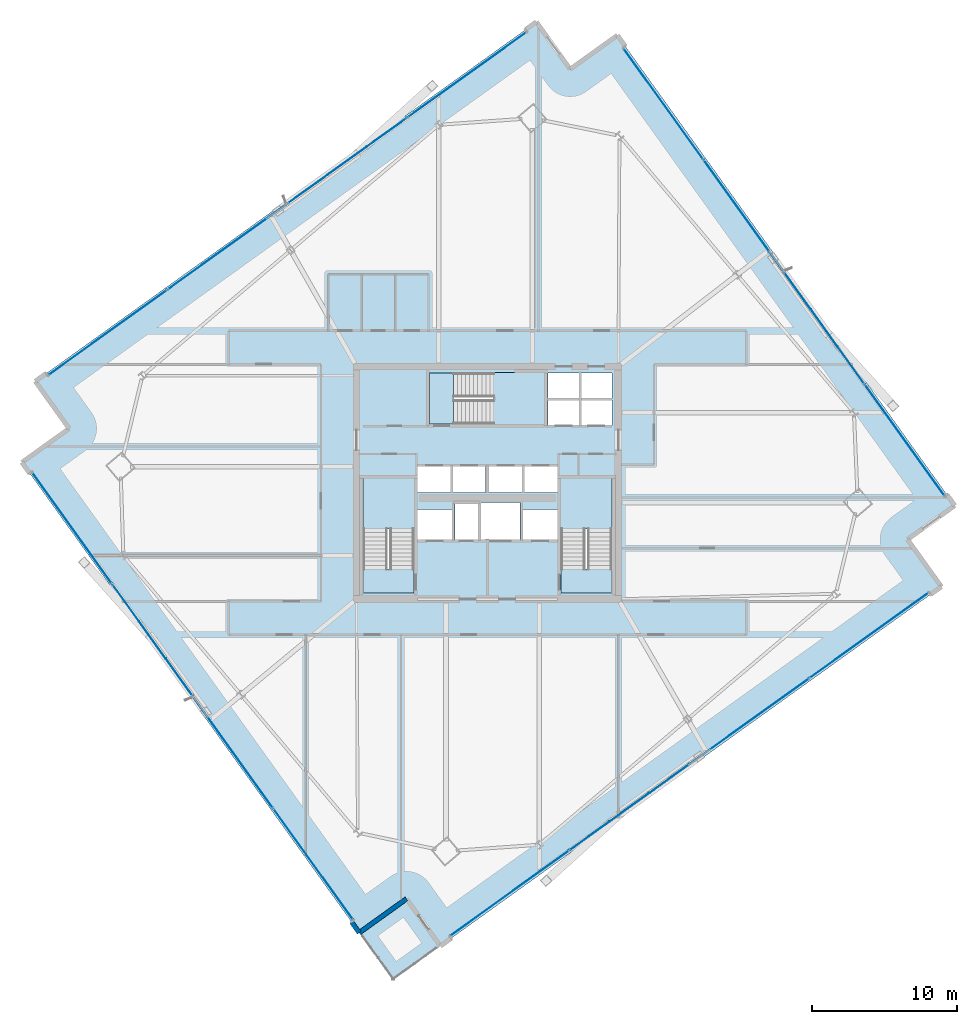
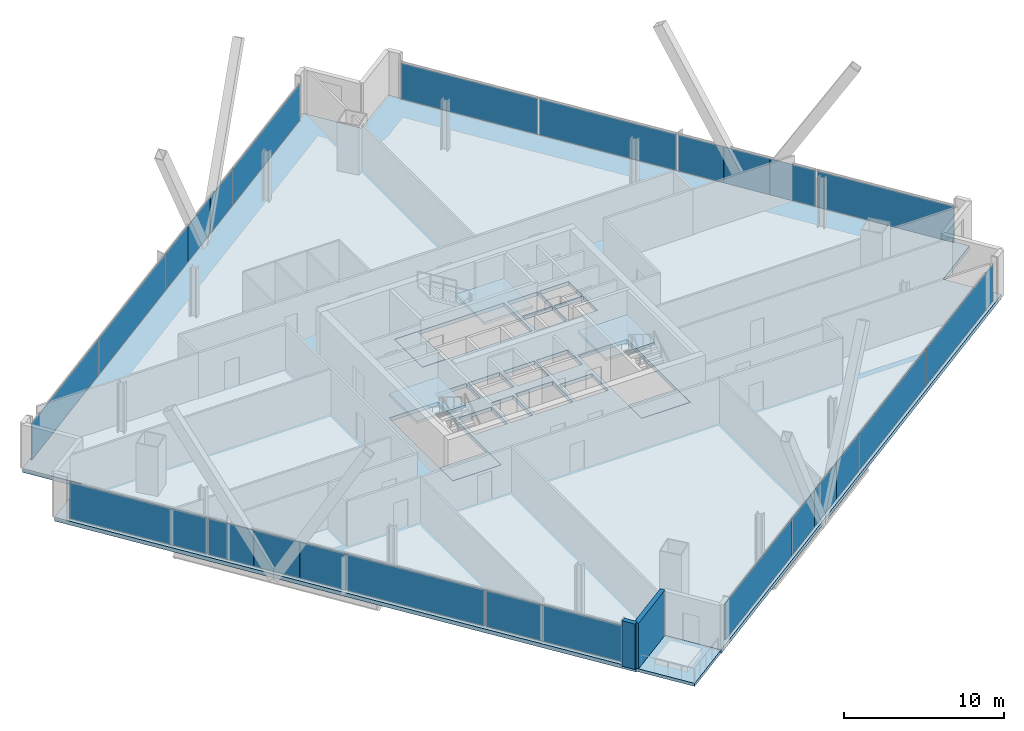
# One storey, part 24 of 33: 24 plates, 8 slabs, 2 walls, 7 elements without a shape of their own.
"""IFC4 building model written with IfcOpenShell, lengths in metres."""

import ifcopenshell
import ifcopenshell.guid

model = None  # the IFC model being written
_history = None  # IfcOwnerHistory: only IFC2X3 demands one
_inside = {}  # id of a spatial element -> (the spatial element, [elements in it])
_under = {}  # id of a project, library or spatial element -> (it, [spatial elements below it])
_declared = {}  # id of a project -> (the project, [libraries it declares])
_typed = {}  # id of a type object -> (the type object, [elements of that type])
_made_of = {}  # id of a material, layer set ... -> (it, [elements and type objects made of it])


def new_model(schema):
    """Start an empty IFC model of exactly this schema.

    Asked for "IFC4X3", IfcOpenShell would pick the latest addendum, in which some entities
    have other attributes; the version numbers below select the first issue.
    IFC2X3 requires an IfcOwnerHistory on every rooted entity: one is made here for all.
    """
    global model, _history
    if schema == "IFC4X3":
        model = ifcopenshell.file(schema_version=(4, 3, 0, 0))
    else:
        model = ifcopenshell.file(schema=schema)
    _inside.clear()
    _under.clear()
    _declared.clear()
    _typed.clear()
    _made_of.clear()
    _history = None
    if model.schema == "IFC2X3":
        org = make("IfcOrganization", Name="unknown")
        user = make(
            "IfcPersonAndOrganization",
            ThePerson=make("IfcPerson", FamilyName="unknown"),
            TheOrganization=org,
        )
        app = make(
            "IfcApplication",
            ApplicationDeveloper=org,
            Version="unknown",
            ApplicationFullName="unknown",
            ApplicationIdentifier="unknown",
        )
        _history = make(
            "IfcOwnerHistory",
            OwningUser=user,
            OwningApplication=app,
            ChangeAction="ADDED",
            CreationDate=0,
        )
    return model


def make(cls, **values):
    """One entity of the class cls with the attributes given. An attribute that is None is left unset."""
    return model.create_entity(
        cls, **{name: value for name, value in values.items() if value is not None}
    )


def rooted(cls, **values):
    """An entity with a GlobalId (a new one), such as an element, a storey or a relation."""
    return make(cls, GlobalId=ifcopenshell.guid.new(), OwnerHistory=_history, **values)


def si_unit(unit_type, name, prefix=None):
    """IfcSIUnit, for example si_unit("LENGTHUNIT", "METRE", prefix="MILLI")."""
    return make("IfcSIUnit", UnitType=unit_type, Prefix=prefix, Name=name)


def assignment(units):
    """IfcUnitAssignment: the units of a project."""
    return None if units is None else make("IfcUnitAssignment", Units=units)


def point(xyz):
    """IfcCartesianPoint."""
    return None if xyz is None else make("IfcCartesianPoint", Coordinates=xyz)


def direction(xyz):
    """IfcDirection."""
    return None if xyz is None else make("IfcDirection", DirectionRatios=xyz)


def frame(location, z_axis=None, x_axis=None):
    """IfcAxis2Placement3D, a coordinate frame: its origin and axes. An axis left out is left unset."""
    return make(
        "IfcAxis2Placement3D",
        Location=point(location),
        Axis=direction(z_axis),
        RefDirection=direction(x_axis),
    )


def frame_2d(location, x_axis=None):
    """IfcAxis2Placement2D, a coordinate frame in the plane: its origin and x axis."""
    return make(
        "IfcAxis2Placement2D", Location=point(location), RefDirection=direction(x_axis)
    )


def origin():
    """The frame at (0, 0, 0) with its axes left unset."""
    return frame((0.0, 0.0, 0.0))


def origin_2d():
    """The frame at (0, 0) in the plane with its x axis left unset."""
    return frame_2d((0.0, 0.0))


def place(relative_to, where):
    """IfcLocalPlacement: puts the frame where relative to a parent placement (None: the world)."""
    return make(
        "IfcLocalPlacement", PlacementRelTo=relative_to, RelativePlacement=where
    )


def context(
    kind, dimensions, precision=None, world=None, true_north=None, identifier=None
):
    """IfcGeometricRepresentationContext, for example the 3D "Model" context."""
    return make(
        "IfcGeometricRepresentationContext",
        ContextIdentifier=identifier,
        ContextType=kind,
        CoordinateSpaceDimension=dimensions,
        Precision=precision,
        WorldCoordinateSystem=world,
        TrueNorth=true_north,
    )


def subcontext(parent, identifier, kind, view, scale=None):
    """IfcGeometricRepresentationSubContext, for example "Body" below "Model"."""
    return make(
        "IfcGeometricRepresentationSubContext",
        ContextIdentifier=identifier,
        ContextType=kind,
        ParentContext=parent,
        TargetScale=scale,
        TargetView=view,
    )


def project(units=None, contexts=None):
    """IfcProject with its units and contexts."""
    return rooted(
        "IfcProject",
        Name="project",
        RepresentationContexts=contexts,
        UnitsInContext=assignment(units),
    )


def spatial(cls, under=None, at=None, **own):
    """A site, building, storey or space (cls), placed at a placement, below another one or the project."""
    s = rooted(cls, ObjectPlacement=at, **own)
    if under is not None:
        _under.setdefault(under.id(), (under, []))[1].append(s)
    return s


def polyline(points):
    """IfcPolyline through the points."""
    return make("IfcPolyline", Points=[point(p) for p in points])


def profile(cls, at=None, kind="AREA", **sizes):
    """A parametric profile (cls). Its sizes go by their IFC names, for example OverallWidth=200.0."""
    return make(cls, ProfileType=kind, Position=at, **sizes)


def rectangle(**sizes):
    """IfcRectangleProfileDef."""
    return profile("IfcRectangleProfileDef", **sizes)


def outline(outer, holes=None, kind="AREA"):
    """IfcArbitraryClosedProfileDef: a profile drawn as a closed curve; with holes, ...WithVoids."""
    if holes is None:
        return make("IfcArbitraryClosedProfileDef", ProfileType=kind, OuterCurve=outer)
    return make(
        "IfcArbitraryProfileDefWithVoids",
        ProfileType=kind,
        OuterCurve=outer,
        InnerCurves=holes,
    )


def extrude(swept, where, along, depth):
    """IfcExtrudedAreaSolid: the profile swept, set in the frame where, extruded along a direction by depth."""
    return make(
        "IfcExtrudedAreaSolid",
        SweptArea=swept,
        Position=where,
        ExtrudedDirection=direction(along),
        Depth=depth,
    )


def shape(context_of_items, identifier, shape_type, items):
    """IfcShapeRepresentation: the items that make up one representation, for example the "Body"."""
    return make(
        "IfcShapeRepresentation",
        ContextOfItems=context_of_items,
        RepresentationIdentifier=identifier,
        RepresentationType=shape_type,
        Items=items,
    )


def source(mapping_origin, context_of_items, identifier, shape_type, items):
    """IfcRepresentationMap: a shape defined once, which mapped items show again and again."""
    return make(
        "IfcRepresentationMap",
        MappingOrigin=mapping_origin,
        MappedRepresentation=shape(context_of_items, identifier, shape_type, items),
    )


def transform(
    local_origin,
    x_axis=None,
    y_axis=None,
    z_axis=None,
    scale=None,
    scale2=None,
    scale3=None,
    uniform=True,
):
    """IfcCartesianTransformationOperator3D, or its non-uniform kind. x_axis, y_axis, z_axis: its Axis1, 2, 3."""
    if uniform:
        return make(
            "IfcCartesianTransformationOperator3D",
            Axis1=direction(x_axis),
            Axis2=direction(y_axis),
            LocalOrigin=point(local_origin),
            Scale=scale,
            Axis3=direction(z_axis),
        )
    return make(
        "IfcCartesianTransformationOperator3DnonUniform",
        Axis1=direction(x_axis),
        Axis2=direction(y_axis),
        LocalOrigin=point(local_origin),
        Scale=scale,
        Axis3=direction(z_axis),
        Scale2=scale2,
        Scale3=scale3,
    )


def mapped(mapping_source, mapping_target):
    """IfcMappedItem: shows the shape of a source again, moved by a transform."""
    return make(
        "IfcMappedItem", MappingSource=mapping_source, MappingTarget=mapping_target
    )


def material(Name=None, Category=None):
    """IfcMaterial."""
    return make("IfcMaterial", Name=Name, Category=Category)


def layer(
    of_material, thickness, ventilated=None, Name=None, Category=None, Priority=None
):
    """IfcMaterialLayer: one layer of a wall or slab, of a material (None: an air gap)."""
    return make(
        "IfcMaterialLayer",
        Material=of_material,
        LayerThickness=thickness,
        IsVentilated=ventilated,
        Name=Name,
        Category=Category,
        Priority=Priority,
    )


def layer_set(layers, Name=None):
    """IfcMaterialLayerSet."""
    return make("IfcMaterialLayerSet", MaterialLayers=layers, LayerSetName=Name)


def made_of(thing, what):
    """Note that an element or type object is made of a material, layer set ...; save() writes the relation."""
    if what is not None:
        _made_of.setdefault(what.id(), (what, []))[1].append(thing)
    return thing


def type_object(cls, material=None, **own):
    """A type object (cls), such as IfcWallType, which elements share."""
    return made_of(rooted(cls, **own), material)


def element(
    cls,
    number,
    at=None,
    inside=None,
    cuts=None,
    type_object=None,
    material=None,
    context=None,
    identifier="Body",
    shape_type=None,
    held_by="IfcProductDefinitionShape",
    body=None,
    shapes=None,
    **own,
):
    """One element of the class cls, such as IfcWall. Its Tag is "e" and its number.

    at: its placement. inside: the storey or other place that contains it. cuts: it is an
    opening in that element (IfcRelVoidsElement). A single representation is given by context,
    identifier, shape_type and body (its items); several are given by shapes. held_by: the class
    of the entity that holds the representations. save() writes the other relations.
    """
    e = rooted(cls, Tag="e%d" % number, ObjectPlacement=at, **own)
    if body is not None:
        shapes = [shape(context, identifier, shape_type, body)]
    if shapes is not None:
        e.Representation = make(held_by, Representations=shapes)
    if inside is not None:
        _inside.setdefault(inside.id(), (inside, []))[1].append(e)
    if cuts is not None:
        rooted(
            "IfcRelVoidsElement", RelatingBuildingElement=cuts, RelatedOpeningElement=e
        )
    if type_object is not None:
        _typed.setdefault(type_object.id(), (type_object, []))[1].append(e)
    return made_of(e, material)


def aggregate(whole, parts):
    """IfcRelAggregates: a whole, such as a stair, and the parts it consists of."""
    return rooted("IfcRelAggregates", RelatingObject=whole, RelatedObjects=parts)


def save(model, path):
    """Write the relations noted so far, then the file.

    IfcRelAggregates (storeys below a building ...), IfcRelContainedInSpatialStructure (elements
    in a storey), IfcRelDefinesByType, IfcRelAssociatesMaterial and IfcRelDeclares: one each for
    every whole, place, type object, material and project.
    """
    for whole, parts in _under.values():
        aggregate(whole, parts)
    for where, things in _inside.values():
        rooted(
            "IfcRelContainedInSpatialStructure",
            RelatedElements=things,
            RelatingStructure=where,
        )
    for kind, things in _typed.values():
        rooted("IfcRelDefinesByType", RelatedObjects=things, RelatingType=kind)
    for what, things in _made_of.values():
        rooted("IfcRelAssociatesMaterial", RelatedObjects=things, RelatingMaterial=what)
    for by, libraries in _declared.values():
        rooted("IfcRelDeclares", RelatingContext=by, RelatedDefinitions=libraries)
    model.write(path)


model = new_model("IFC4")

# Units and contexts
model_context = context("Model", 3, precision=1e-05, world=origin(), true_north=direction((0.0, 1.0)))
body_context = subcontext(model_context, "Body", "Model", "MODEL_VIEW")
ifc_project = project(units=[si_unit("LENGTHUNIT", "METRE"), si_unit("AREAUNIT", "SQUARE_METRE"), si_unit("VOLUMEUNIT", "CUBIC_METRE"), si_unit("PLANEANGLEUNIT", "RADIAN"), si_unit("MASSUNIT", "GRAM", prefix="KILO")], contexts=[model_context])

# Site, building, storey
site_placement = place(None, origin())
site = spatial("IfcSite", under=ifc_project, at=site_placement, CompositionType="ELEMENT")
building_placement = place(site_placement, origin())
building = spatial("IfcBuilding", under=site, at=building_placement, Name="Haldenkirk Collegiate Tower", CompositionType="ELEMENT")
storey_placement = place(building_placement, frame((0.0, 0.0, 148.199951171875)))
storey = spatial("IfcBuildingStorey", under=building, at=storey_placement, Name="L36", CompositionType="ELEMENT", Elevation=148.199951171875)

# Slab
ifc_material_1 = material(Name="Concrete f'c 40 MPa", Category="concrete")
ifc_layer_1 = layer(ifc_material_1, 0.2900390625)
ifc_layer_set_1 = layer_set([ifc_layer_1], Name="Concrete f'c 40 MPa")
slab_type_1 = type_object("IfcSlabType", Name="SLB-FLR-290", PredefinedType="FLOOR", material=ifc_layer_set_1)
slab_1_placement = place(storey_placement, frame((0.0, 0.0, -0.2900390625)))
element("IfcSlab", 1, at=slab_1_placement, inside=storey, type_object=slab_type_1, Name="L36 composite structural floor slab", PredefinedType="FLOOR", context=body_context, shape_type="SweptSolid", body=[
    extrude(outline(polyline([(32.760986328125, -5.8583984375), (67.21484375, 18.853759765625), (64.883544921875, 22.104248046875), (68.134033203125, 24.435546875), (44.937255859375, 56.776611328125), (41.68701171875, 54.4453125), (39.355712890625, 57.69580078125), (4.901611328125, 32.983642578125), (7.23291015625, 29.7333984375), (3.982666015625, 27.402099609375), (27.17919921875, -4.939208984375), (30.4296875, -2.60791015625), (32.760986328125, -5.8583984375)]), holes=[polyline([(27.449951171875, 18.39990234375), (30.949951171875, 18.39990234375), (30.949951171875, 26.300048828125), (27.449951171875, 26.300048828125), (27.449951171875, 18.39990234375)]), polyline([(41.050048828125, 18.39990234375), (44.550048828125, 18.39990234375), (44.550048828125, 26.300048828125), (41.050048828125, 26.300048828125), (41.050048828125, 18.39990234375)]), polyline([(32.0, 30.050048828125), (39.89990234375, 30.050048828125), (39.89990234375, 33.550048828125), (32.0, 33.550048828125), (32.0, 30.050048828125)]), polyline([(33.75, 22.10009765625), (35.35009765625, 22.10009765625), (35.35009765625, 24.550048828125), (33.75, 24.550048828125), (33.75, 22.10009765625)]), polyline([(40.14990234375, 29.949951171875), (42.320068359375, 29.949951171875), (42.320068359375, 31.699951171875), (40.14990234375, 31.699951171875), (40.14990234375, 29.949951171875)]), polyline([(42.419921875, 29.949951171875), (44.550048828125, 29.949951171875), (44.550048828125, 31.699951171875), (42.419921875, 31.699951171875), (42.419921875, 29.949951171875)]), polyline([(40.14990234375, 31.800048828125), (42.320068359375, 31.800048828125), (42.320068359375, 33.550048828125), (40.14990234375, 33.550048828125), (40.14990234375, 31.800048828125)]), polyline([(42.419921875, 31.800048828125), (44.550048828125, 31.800048828125), (44.550048828125, 33.550048828125), (42.419921875, 33.550048828125), (42.419921875, 31.800048828125)]), polyline([(31.199951171875, 25.35009765625), (33.47998046875, 25.35009765625), (33.47998046875, 27.14990234375), (31.199951171875, 27.14990234375), (31.199951171875, 25.35009765625)]), polyline([(33.60009765625, 25.35009765625), (35.8798828125, 25.35009765625), (35.8798828125, 27.14990234375), (33.60009765625, 27.14990234375), (33.60009765625, 25.35009765625)]), polyline([(36.1201171875, 25.35009765625), (38.39990234375, 25.35009765625), (38.39990234375, 27.14990234375), (36.1201171875, 27.14990234375), (36.1201171875, 25.35009765625)]), polyline([(38.52001953125, 25.35009765625), (40.800048828125, 25.35009765625), (40.800048828125, 27.14990234375), (38.52001953125, 27.14990234375), (38.52001953125, 25.35009765625)]), polyline([(31.199951171875, 22.10009765625), (33.550048828125, 22.10009765625), (33.550048828125, 24.14990234375), (31.199951171875, 24.14990234375), (31.199951171875, 22.10009765625)]), polyline([(38.449951171875, 22.10009765625), (40.800048828125, 22.10009765625), (40.800048828125, 24.14990234375), (38.449951171875, 24.14990234375), (38.449951171875, 22.10009765625)]), polyline([(35.550048828125, 22.10009765625), (38.25, 22.10009765625), (38.25, 24.64990234375), (35.550048828125, 24.64990234375), (35.550048828125, 22.10009765625)])]), origin(), (0.0, 0.0, 1.0), 0.2900390625),
])

# Stair, slab
stair_type = type_object("IfcStairType", Name="STR-DOGLEG-1650", PredefinedType="HALF_TURN_STAIR", material=ifc_material_1)
stair_1_placement = place(storey_placement, origin())
stair_1 = element("IfcStair", 2, at=stair_1_placement, inside=storey, type_object=stair_type, Name="L36 Core Exit Stair ST-1", PredefinedType="HALF_TURN_STAIR")
ifc_layer_2 = layer(ifc_material_1, 0.199951171875)
ifc_layer_set_2 = layer_set([ifc_layer_2], Name="Concrete f'c 40 MPa")
slab_type_2 = type_object("IfcSlabType", Name="SLB-LANDING-200", PredefinedType="LANDING", material=ifc_layer_set_2)
slab_2_placement = place(storey_placement, frame((0.0, 0.0, 1.675048828125)))
slab_2 = element("IfcSlab", 3, at=slab_2_placement, type_object=slab_type_2, Name="ST-1 landing 1", PredefinedType="LANDING", context=body_context, shape_type="SweptSolid", body=[
    extrude(outline(polyline([(30.97509765625, 22.824951171875), (27.425048828125, 22.824951171875), (27.425048828125, 26.324951171875), (30.97509765625, 26.324951171875), (30.97509765625, 22.824951171875)])), origin(), (0.0, 0.0, 1.0), 0.199951171875),
])
aggregate(stair_1, [slab_2])

stair_2_placement = place(storey_placement, origin())
stair_2 = element("IfcStair", 4, at=stair_2_placement, inside=storey, type_object=stair_type, Name="L36 Core Exit Stair ST-2", PredefinedType="HALF_TURN_STAIR")
slab_3_placement = place(storey_placement, frame((0.0, 0.0, 1.675048828125)))
slab_3 = element("IfcSlab", 5, at=slab_3_placement, type_object=slab_type_2, Name="ST-2 landing 1", PredefinedType="LANDING", context=body_context, shape_type="SweptSolid", body=[
    extrude(outline(polyline([(44.574951171875, 22.824951171875), (41.02490234375, 22.824951171875), (41.02490234375, 26.324951171875), (44.574951171875, 26.324951171875), (44.574951171875, 22.824951171875)])), origin(), (0.0, 0.0, 1.0), 0.199951171875),
])
aggregate(stair_2, [slab_3])

stair_3_placement = place(storey_placement, origin())
stair_3 = element("IfcStair", 6, at=stair_3_placement, inside=storey, type_object=stair_type, Name="L36 Core Exit Stair ST-3", PredefinedType="HALF_TURN_STAIR")
slab_4_placement = place(storey_placement, frame((0.0, 0.0, 1.675048828125)))
slab_4 = element("IfcSlab", 7, at=slab_4_placement, type_object=slab_type_2, Name="ST-3 landing 1", PredefinedType="LANDING", context=body_context, shape_type="SweptSolid", body=[
    extrude(outline(polyline([(36.425048828125, 30.02490234375), (36.425048828125, 33.574951171875), (39.925048828125, 33.574951171875), (39.925048828125, 30.02490234375), (36.425048828125, 30.02490234375)])), origin(), (0.0, 0.0, 1.0), 0.199951171875),
])
aggregate(stair_3, [slab_4])

# Slabs
ifc_layer_3 = layer(ifc_material_1, 0.25)
ifc_layer_set_3 = layer_set([ifc_layer_3], Name="Concrete f'c 40 MPa")
slab_type_3 = type_object("IfcSlabType", Name="SLB-STAIRLAND-250", PredefinedType="LANDING", material=ifc_layer_set_3)
slab_5_placement = place(storey_placement, frame((0.0, 0.0, -0.25)))
element("IfcSlab", 8, at=slab_5_placement, inside=storey, type_object=slab_type_3, Name="L36 stair ST1 structural floor landing slab", PredefinedType="LANDING", context=body_context, shape_type="SweptSolid", body=[
    extrude(outline(polyline([(27.4599609375, 18.409912109375), (30.93994140625, 18.409912109375), (30.93994140625, 20.080078125), (27.4599609375, 20.080078125), (27.4599609375, 18.409912109375)])), origin(), (0.0, 0.0, 1.0), 0.25),
])
slab_6_placement = place(storey_placement, frame((0.0, 0.0, -0.25)))
element("IfcSlab", 9, at=slab_6_placement, inside=storey, type_object=slab_type_3, Name="L36 stair ST2 structural floor landing slab", PredefinedType="LANDING", context=body_context, shape_type="SweptSolid", body=[
    extrude(outline(polyline([(41.06005859375, 18.409912109375), (44.5400390625, 18.409912109375), (44.5400390625, 20.080078125), (41.06005859375, 20.080078125), (41.06005859375, 18.409912109375)])), origin(), (0.0, 0.0, 1.0), 0.25),
])
slab_7_placement = place(storey_placement, frame((0.0, 0.0, -0.25)))
element("IfcSlab", 10, at=slab_7_placement, inside=storey, type_object=slab_type_3, Name="L36 stair ST3 structural floor landing slab", PredefinedType="LANDING", context=body_context, shape_type="SweptSolid", body=[
    extrude(outline(polyline([(32.010009765625, 30.06005859375), (33.679931640625, 30.06005859375), (33.679931640625, 33.5400390625), (32.010009765625, 33.5400390625), (32.010009765625, 30.06005859375)])), origin(), (0.0, 0.0, 1.0), 0.25),
])
ifc_layer_4 = layer(ifc_material_1, 0.22998046875)
ifc_layer_set_4 = layer_set([ifc_layer_4], Name="Concrete f'c 40 MPa")
slab_type_4 = type_object("IfcSlabType", Name="SLB-TERR-SPIRAL-230", PredefinedType="FLOOR", material=ifc_layer_set_4)
slab_8_placement = place(storey_placement, frame((0.0, 0.0, -0.22998046875)))
element("IfcSlab", 11, at=slab_8_placement, inside=storey, type_object=slab_type_4, Name="L36 spiralling corner terrace slab", PredefinedType="FLOOR", context=body_context, shape_type="SweptSolid", body=[
    extrude(outline(polyline([(29.510498046875, -8.189697265625), (32.760986328125, -5.8583984375), (30.4296875, -2.60791015625), (27.17919921875, -4.939208984375), (29.510498046875, -8.189697265625)])), origin(), (0.0, 0.0, 1.0), 0.22998046875),
])

# Curtain wall, plates
ifc_material_2 = material(Name="Anodised architectural bronze aluminium", Category="aluminium")
curtain_wall_type_1 = type_object("IfcCurtainWallType", Name="CW-SYS2-CONCAVE", PredefinedType="USERDEFINED", material=ifc_material_2)
curtain_wall_1_placement = place(storey_placement, origin())
curtain_wall_1 = element("IfcCurtainWall", 12, at=curtain_wall_1_placement, inside=storey, type_object=curtain_wall_type_1, Name="L36 South concave recessed bronze-anodised curtain wall", ObjectType="UNITISED CURTAIN WALL", PredefinedType="USERDEFINED")
ifc_material_3 = material(Name="Low-E argon triple insulating glass", Category="glass")
ifc_layer_5 = layer(ifc_material_3, 0.0419921875)
ifc_layer_set_5 = layer_set([ifc_layer_5], Name="Low-E argon triple insulating glass")
plate_type_1 = type_object("IfcPlateType", Name="CW-PNL-02", PredefinedType="CURTAIN_PANEL", material=ifc_layer_set_5)
shared_shape_1 = source(origin(), body_context, "Body", "SweptSolid", [
    extrude(rectangle(XDim=10.03759765625, YDim=0.0419921875, at=origin_2d()), origin(), (0.0, 0.0, 1.0), 2.760986328125),
])
plate_1_placement = place(storey_placement, frame((62.239501953125, 15.5068359375, 0.0751953125), z_axis=(0.0, 0.0, 1.0), x_axis=(-0.812591580482, -0.582833529689, 0.0)))
plate_1 = element("IfcPlate", 13, at=plate_1_placement, type_object=plate_type_1, Name="CW-02 panel 1.1", PredefinedType="CURTAIN_PANEL", context=body_context, shape_type="MappedRepresentation", body=[
    mapped(shared_shape_1, transform((0.0, 0.0, 0.0), x_axis=(1.0, 0.0, 0.0), y_axis=(0.0, 1.0, 0.0), z_axis=(0.0, 0.0, 1.0), scale=1.0)),
])
plate_2_placement = place(storey_placement, frame((37.526611328125, -2.21875, 0.0751953125), z_axis=(0.0, 0.0, 1.0), x_axis=(-0.812591580482, -0.582833529689, 0.0)))
plate_2 = element("IfcPlate", 14, at=plate_2_placement, type_object=plate_type_1, Name="CW-02 panel 4.1", PredefinedType="CURTAIN_PANEL", context=body_context, shape_type="MappedRepresentation", body=[
    mapped(shared_shape_1, transform((0.0, 0.0, 0.0), x_axis=(1.0, 0.0, 0.0), y_axis=(0.0, 1.0, 0.0), z_axis=(0.0, 0.0, 1.0), scale=1.0)),
])
shared_shape_2 = source(origin(), body_context, "Body", "SweptSolid", [
    extrude(rectangle(XDim=10.074951171875, YDim=0.0419921875, at=origin_2d()), origin(), (0.0, 0.0, 1.0), 2.760986328125),
])
plate_3_placement = place(storey_placement, frame((54.007080078125, 9.60205078125, 0.0751953125), z_axis=(0.0, 0.0, 1.0), x_axis=(-0.812591580482, -0.582833529689, 0.0)))
plate_3 = element("IfcPlate", 15, at=plate_3_placement, type_object=plate_type_1, Name="CW-02 panel 2.1", PredefinedType="CURTAIN_PANEL", context=body_context, shape_type="MappedRepresentation", body=[
    mapped(shared_shape_2, transform((0.0, 0.0, 0.0), x_axis=(1.0, 0.0, 0.0), y_axis=(0.0, 1.0, 0.0), z_axis=(0.0, 0.0, 1.0), scale=1.0)),
])
ifc_material_4 = material(Name="Bronze-anodised insulated aluminium spandrel panel", Category="aluminium")
ifc_layer_6 = layer(ifc_material_4, 0.0419921875)
ifc_layer_set_6 = layer_set([ifc_layer_6], Name="Bronze-anodised insulated aluminium spandrel panel")
plate_type_2 = type_object("IfcPlateType", Name="CW-SPD-02", PredefinedType="CURTAIN_PANEL", material=ifc_layer_set_6)
shared_shape_3 = source(origin(), body_context, "Body", "SweptSolid", [
    extrude(rectangle(XDim=3.345703125, YDim=0.0419921875, at=origin_2d()), origin(), (0.0, 0.0, 1.0), 2.760986328125),
])
plate_4_placement = place(storey_placement, frame((48.4931640625, 5.647216796875, 0.0751953125), z_axis=(0.0, 0.0, 1.0), x_axis=(-0.812591580482, -0.582833529689, 0.0)))
plate_4 = element("IfcPlate", 16, at=plate_4_placement, type_object=plate_type_2, Name="CW-02 spandrel panel 3.1a", PredefinedType="CURTAIN_PANEL", context=body_context, shape_type="MappedRepresentation", body=[
    mapped(shared_shape_3, transform((0.0, 0.0, 0.0), x_axis=(1.0, 0.0, 0.0), y_axis=(0.0, 1.0, 0.0), z_axis=(0.0, 0.0, 1.0), scale=1.0)),
])
plate_5_placement = place(storey_placement, frame((43.025146484375, 1.72509765625, 0.0751953125), z_axis=(0.0, 0.0, 1.0), x_axis=(-0.812591580482, -0.582833529689, 0.0)))
plate_5 = element("IfcPlate", 17, at=plate_5_placement, type_object=plate_type_2, Name="CW-02 spandrel panel 3.1c", PredefinedType="CURTAIN_PANEL", context=body_context, shape_type="MappedRepresentation", body=[
    mapped(shared_shape_3, transform((0.0, 0.0, 0.0), x_axis=(1.0, 0.0, 0.0), y_axis=(0.0, 1.0, 0.0), z_axis=(0.0, 0.0, 1.0), scale=1.0)),
])
shared_shape_4 = source(origin(), body_context, "Body", "SweptSolid", [
    extrude(rectangle(XDim=3.333251953125, YDim=0.0419921875, at=origin_2d()), origin(), (0.0, 0.0, 1.0), 2.760986328125),
])
plate_6_placement = place(storey_placement, frame((45.759033203125, 3.686279296875, 0.0751953125), z_axis=(0.0, 0.0, 1.0), x_axis=(-0.812591580482, -0.582833529689, 0.0)))
plate_6 = element("IfcPlate", 18, at=plate_6_placement, type_object=plate_type_2, Name="CW-02 spandrel panel 3.1b", PredefinedType="CURTAIN_PANEL", context=body_context, shape_type="MappedRepresentation", body=[
    mapped(shared_shape_4, transform((0.0, 0.0, 0.0), x_axis=(1.0, 0.0, 0.0), y_axis=(0.0, 1.0, 0.0), z_axis=(0.0, 0.0, 1.0), scale=1.0)),
])
aggregate(curtain_wall_1, [plate_1, plate_3, plate_4, plate_6, plate_5, plate_2])

curtain_wall_type_2 = type_object("IfcCurtainWallType", Name="CW-SYS1-CONVEX-LOW", PredefinedType="USERDEFINED", material=ifc_material_2)
curtain_wall_2_placement = place(storey_placement, origin())
curtain_wall_2 = element("IfcCurtainWall", 19, at=curtain_wall_2_placement, inside=storey, type_object=curtain_wall_type_2, Name="L36 Lower tower convex bronze-framed unitised curtain wall", ObjectType="UNITISED CURTAIN WALL", PredefinedType="USERDEFINED")
ifc_layer_7 = layer(ifc_material_4, 0.0439453125)
ifc_layer_set_7 = layer_set([ifc_layer_7], Name="Bronze-anodised insulated aluminium spandrel panel")
plate_type_3 = type_object("IfcPlateType", Name="CW-SPD-1A", PredefinedType="CURTAIN_PANEL", material=ifc_layer_set_7)
shared_shape_5 = source(origin(), body_context, "Body", "SweptSolid", [
    extrude(rectangle(XDim=3.12744140625, YDim=0.0439453125, at=origin_2d()), origin(), (0.0, 0.0, 1.0), 2.7509765625),
])
plate_7_placement = place(storey_placement, frame((57.32421875, 39.197998046875, 0.080078125), z_axis=(0.0, 0.0, 1.0), x_axis=(0.582832484375, -0.812592330235, 0.0)))
plate_7 = element("IfcPlate", 20, at=plate_7_placement, type_object=plate_type_3, Name="CW-1A spandrel panel 3.1a", PredefinedType="CURTAIN_PANEL", context=body_context, shape_type="MappedRepresentation", body=[
    mapped(shared_shape_5, transform((0.0, 0.0, 0.0), x_axis=(1.0, 0.0, 0.0), y_axis=(0.0, 1.0, 0.0), z_axis=(0.0, 0.0, 1.0), scale=1.0)),
])
plate_8_placement = place(storey_placement, frame((60.99169921875, 34.084716796875, 0.080078125), z_axis=(0.0, 0.0, 1.0), x_axis=(0.582832484375, -0.812592330235, 0.0)))
plate_8 = element("IfcPlate", 21, at=plate_8_placement, type_object=plate_type_3, Name="CW-1A spandrel panel 3.1c", PredefinedType="CURTAIN_PANEL", context=body_context, shape_type="MappedRepresentation", body=[
    mapped(shared_shape_5, transform((0.0, 0.0, 0.0), x_axis=(1.0, 0.0, 0.0), y_axis=(0.0, 1.0, 0.0), z_axis=(0.0, 0.0, 1.0), scale=1.0)),
])

curtain_wall_3_placement = place(storey_placement, origin())
curtain_wall_3 = element("IfcCurtainWall", 22, at=curtain_wall_3_placement, inside=storey, type_object=curtain_wall_type_2, Name="L36 Lower tower convex bronze-framed unitised curtain wall", ObjectType="UNITISED CURTAIN WALL", PredefinedType="USERDEFINED")
plate_9_placement = place(storey_placement, frame((14.79248046875, 12.639404296875, 0.080078125), z_axis=(0.0, 0.0, 1.0), x_axis=(-0.582832484375, 0.812592330235, 0.0)))
plate_9 = element("IfcPlate", 23, at=plate_9_placement, type_object=plate_type_3, Name="CW-1A spandrel panel 3.1a", PredefinedType="CURTAIN_PANEL", context=body_context, shape_type="MappedRepresentation", body=[
    mapped(shared_shape_5, transform((0.0, 0.0, 0.0), x_axis=(1.0, 0.0, 0.0), y_axis=(0.0, 1.0, 0.0), z_axis=(0.0, 0.0, 1.0), scale=1.0)),
])
plate_10_placement = place(storey_placement, frame((11.125, 17.752685546875, 0.080078125), z_axis=(0.0, 0.0, 1.0), x_axis=(-0.582832484375, 0.812592330235, 0.0)))
plate_10 = element("IfcPlate", 24, at=plate_10_placement, type_object=plate_type_3, Name="CW-1A spandrel panel 3.1c", PredefinedType="CURTAIN_PANEL", context=body_context, shape_type="MappedRepresentation", body=[
    mapped(shared_shape_5, transform((0.0, 0.0, 0.0), x_axis=(1.0, 0.0, 0.0), y_axis=(0.0, 1.0, 0.0), z_axis=(0.0, 0.0, 1.0), scale=1.0)),
])

# Plate
shared_shape_6 = source(origin(), body_context, "Body", "SweptSolid", [
    extrude(rectangle(XDim=3.114990234375, YDim=0.0439453125, at=origin_2d()), origin(), (0.0, 0.0, 1.0), 2.7509765625),
])
plate_11_placement = place(storey_placement, frame((59.15771484375, 36.641357421875, 0.080078125), z_axis=(0.0, 0.0, 1.0), x_axis=(0.582832484375, -0.812592330235, 0.0)))
plate_11 = element("IfcPlate", 25, at=plate_11_placement, type_object=plate_type_3, Name="CW-1A spandrel panel 3.1b", PredefinedType="CURTAIN_PANEL", context=body_context, shape_type="MappedRepresentation", body=[
    mapped(shared_shape_6, transform((0.0, 0.0, 0.0), x_axis=(1.0, 0.0, 0.0), y_axis=(0.0, 1.0, 0.0), z_axis=(0.0, 0.0, 1.0), scale=1.0)),
])

plate_12_placement = place(storey_placement, frame((12.958740234375, 15.196044921875, 0.080078125), z_axis=(0.0, 0.0, 1.0), x_axis=(-0.582832484375, 0.812592330235, 0.0)))
plate_12 = element("IfcPlate", 26, at=plate_12_placement, type_object=plate_type_3, Name="CW-1A spandrel panel 3.1b", PredefinedType="CURTAIN_PANEL", context=body_context, shape_type="MappedRepresentation", body=[
    mapped(shared_shape_6, transform((0.0, 0.0, 0.0), x_axis=(1.0, 0.0, 0.0), y_axis=(0.0, 1.0, 0.0), z_axis=(0.0, 0.0, 1.0), scale=1.0)),
])

# Curtain wall, plates
curtain_wall_4_placement = place(storey_placement, origin())
curtain_wall_4 = element("IfcCurtainWall", 27, at=curtain_wall_4_placement, inside=storey, type_object=curtain_wall_type_2, Name="L36 Lower tower convex bronze-framed unitised curtain wall", ObjectType="UNITISED CURTAIN WALL", PredefinedType="USERDEFINED")
ifc_layer_8 = layer(ifc_material_3, 0.0439453125)
ifc_layer_set_8 = layer_set([ifc_layer_8], Name="Low-E argon triple insulating glass")
plate_type_4 = type_object("IfcPlateType", Name="CW-PNL-1A", PredefinedType="CURTAIN_PANEL", material=ifc_layer_set_8)
shared_shape_7 = source(origin(), body_context, "Body", "SweptSolid", [
    extrude(rectangle(XDim=10.030029296875, YDim=0.0439453125, at=origin_2d()), origin(), (0.0, 0.0, 1.0), 2.7509765625),
])
plate_13_placement = place(storey_placement, frame((9.8779296875, 36.33154296875, 0.080078125), z_axis=(0.0, 0.0, 1.0), x_axis=(0.81259358367, 0.582830736817, 0.0)))
plate_13 = element("IfcPlate", 28, at=plate_13_placement, type_object=plate_type_4, Name="CW-1A panel 1.1", PredefinedType="CURTAIN_PANEL", context=body_context, shape_type="MappedRepresentation", body=[
    mapped(shared_shape_7, transform((0.0, 0.0, 0.0), x_axis=(1.0, 0.0, 0.0), y_axis=(0.0, 1.0, 0.0), z_axis=(0.0, 0.0, 1.0), scale=1.0)),
])
plate_14_placement = place(storey_placement, frame((34.589111328125, 54.055419921875, 0.080078125), z_axis=(0.0, 0.0, 1.0), x_axis=(0.81259358367, 0.582830736817, 0.0)))
plate_14 = element("IfcPlate", 29, at=plate_14_placement, type_object=plate_type_4, Name="CW-1A panel 4.1", PredefinedType="CURTAIN_PANEL", context=body_context, shape_type="MappedRepresentation", body=[
    mapped(shared_shape_7, transform((0.0, 0.0, 0.0), x_axis=(1.0, 0.0, 0.0), y_axis=(0.0, 1.0, 0.0), z_axis=(0.0, 0.0, 1.0), scale=1.0)),
])
shared_shape_8 = source(origin(), body_context, "Body", "SweptSolid", [
    extrude(rectangle(XDim=10.070068359375, YDim=0.0439453125, at=origin_2d()), origin(), (0.0, 0.0, 1.0), 2.7509765625),
])
plate_15_placement = place(storey_placement, frame((18.109619140625, 42.235595703125, 0.080078125), z_axis=(0.0, 0.0, 1.0), x_axis=(0.81259358367, 0.582830736817, 0.0)))
plate_15 = element("IfcPlate", 30, at=plate_15_placement, type_object=plate_type_4, Name="CW-1A panel 2.1", PredefinedType="CURTAIN_PANEL", context=body_context, shape_type="MappedRepresentation", body=[
    mapped(shared_shape_8, transform((0.0, 0.0, 0.0), x_axis=(1.0, 0.0, 0.0), y_axis=(0.0, 1.0, 0.0), z_axis=(0.0, 0.0, 1.0), scale=1.0)),
])
shared_shape_9 = source(origin(), body_context, "Body", "SweptSolid", [
    extrude(rectangle(XDim=3.34423828125, YDim=0.0439453125, at=origin_2d()), origin(), (0.0, 0.0, 1.0), 2.7509765625),
])
plate_16_placement = place(storey_placement, frame((23.624755859375, 46.19140625, 0.080078125), z_axis=(0.0, 0.0, 1.0), x_axis=(0.81259358367, 0.582830736817, 0.0)))
plate_16 = element("IfcPlate", 31, at=plate_16_placement, type_object=plate_type_3, Name="CW-1A spandrel panel 3.1a", PredefinedType="CURTAIN_PANEL", context=body_context, shape_type="MappedRepresentation", body=[
    mapped(shared_shape_9, transform((0.0, 0.0, 0.0), x_axis=(1.0, 0.0, 0.0), y_axis=(0.0, 1.0, 0.0), z_axis=(0.0, 0.0, 1.0), scale=1.0)),
])
plate_17_placement = place(storey_placement, frame((29.090087890625, 50.111328125, 0.080078125), z_axis=(0.0, 0.0, 1.0), x_axis=(0.81259358367, 0.582830736817, 0.0)))
plate_17 = element("IfcPlate", 32, at=plate_17_placement, type_object=plate_type_3, Name="CW-1A spandrel panel 3.1c", PredefinedType="CURTAIN_PANEL", context=body_context, shape_type="MappedRepresentation", body=[
    mapped(shared_shape_9, transform((0.0, 0.0, 0.0), x_axis=(1.0, 0.0, 0.0), y_axis=(0.0, 1.0, 0.0), z_axis=(0.0, 0.0, 1.0), scale=1.0)),
])
shared_shape_10 = source(origin(), body_context, "Body", "SweptSolid", [
    extrude(rectangle(XDim=3.331787109375, YDim=0.0439453125, at=origin_2d()), origin(), (0.0, 0.0, 1.0), 2.7509765625),
])
plate_18_placement = place(storey_placement, frame((26.357421875, 48.1513671875, 0.080078125), z_axis=(0.0, 0.0, 1.0), x_axis=(0.81259358367, 0.582830736817, 0.0)))
plate_18 = element("IfcPlate", 33, at=plate_18_placement, type_object=plate_type_3, Name="CW-1A spandrel panel 3.1b", PredefinedType="CURTAIN_PANEL", context=body_context, shape_type="MappedRepresentation", body=[
    mapped(shared_shape_10, transform((0.0, 0.0, 0.0), x_axis=(1.0, 0.0, 0.0), y_axis=(0.0, 1.0, 0.0), z_axis=(0.0, 0.0, 1.0), scale=1.0)),
])
aggregate(curtain_wall_4, [plate_13, plate_15, plate_16, plate_18, plate_17, plate_14])

# Plate
shared_shape_11 = source(origin(), body_context, "Body", "SweptSolid", [
    extrude(rectangle(XDim=9.419921875, YDim=0.0439453125, at=origin_2d()), origin(), (0.0, 0.0, 1.0), 2.7509765625),
])
plate_19_placement = place(storey_placement, frame((53.620849609375, 44.361083984375, 0.080078125), z_axis=(0.0, 0.0, 1.0), x_axis=(0.582832484375, -0.812592330235, 0.0)))
plate_19 = element("IfcPlate", 34, at=plate_19_placement, type_object=plate_type_4, Name="CW-1A panel 2.1", PredefinedType="CURTAIN_PANEL", context=body_context, shape_type="MappedRepresentation", body=[
    mapped(shared_shape_11, transform((0.0, 0.0, 0.0), x_axis=(1.0, 0.0, 0.0), y_axis=(0.0, 1.0, 0.0), z_axis=(0.0, 0.0, 1.0), scale=1.0)),
])

plate_20_placement = place(storey_placement, frame((18.49560546875, 7.4765625, 0.080078125), z_axis=(0.0, 0.0, 1.0), x_axis=(-0.582832484375, 0.812592330235, 0.0)))
plate_20 = element("IfcPlate", 35, at=plate_20_placement, type_object=plate_type_4, Name="CW-1A panel 2.1", PredefinedType="CURTAIN_PANEL", context=body_context, shape_type="MappedRepresentation", body=[
    mapped(shared_shape_11, transform((0.0, 0.0, 0.0), x_axis=(1.0, 0.0, 0.0), y_axis=(0.0, 1.0, 0.0), z_axis=(0.0, 0.0, 1.0), scale=1.0)),
])

shared_shape_12 = source(origin(), body_context, "Body", "SweptSolid", [
    extrude(rectangle(XDim=9.380126953125, YDim=0.0439453125, at=origin_2d()), origin(), (0.0, 0.0, 1.0), 2.7509765625),
])
plate_21_placement = place(storey_placement, frame((48.095703125, 52.064453125, 0.080078125), z_axis=(0.0, 0.0, 1.0), x_axis=(0.582832484375, -0.812592330235, 0.0)))
plate_21 = element("IfcPlate", 36, at=plate_21_placement, type_object=plate_type_4, Name="CW-1A panel 1.1", PredefinedType="CURTAIN_PANEL", context=body_context, shape_type="MappedRepresentation", body=[
    mapped(shared_shape_12, transform((0.0, 0.0, 0.0), x_axis=(1.0, 0.0, 0.0), y_axis=(0.0, 1.0, 0.0), z_axis=(0.0, 0.0, 1.0), scale=1.0)),
])

plate_22_placement = place(storey_placement, frame((64.68310546875, 28.93798828125, 0.080078125), z_axis=(0.0, 0.0, 1.0), x_axis=(0.582832484375, -0.812592330235, 0.0)))
plate_22 = element("IfcPlate", 37, at=plate_22_placement, type_object=plate_type_4, Name="CW-1A panel 4.1", PredefinedType="CURTAIN_PANEL", context=body_context, shape_type="MappedRepresentation", body=[
    mapped(shared_shape_12, transform((0.0, 0.0, 0.0), x_axis=(1.0, 0.0, 0.0), y_axis=(0.0, 1.0, 0.0), z_axis=(0.0, 0.0, 1.0), scale=1.0)),
])

aggregate(curtain_wall_2, [plate_21, plate_19, plate_7, plate_11, plate_8, plate_22])

plate_23_placement = place(storey_placement, frame((24.02099609375, -0.226806640625, 0.080078125), z_axis=(0.0, 0.0, 1.0), x_axis=(-0.582832484375, 0.812592330235, 0.0)))
plate_23 = element("IfcPlate", 38, at=plate_23_placement, type_object=plate_type_4, Name="CW-1A panel 1.1", PredefinedType="CURTAIN_PANEL", context=body_context, shape_type="MappedRepresentation", body=[
    mapped(shared_shape_12, transform((0.0, 0.0, 0.0), x_axis=(1.0, 0.0, 0.0), y_axis=(0.0, 1.0, 0.0), z_axis=(0.0, 0.0, 1.0), scale=1.0)),
])

plate_24_placement = place(storey_placement, frame((7.43359375, 22.8994140625, 0.080078125), z_axis=(0.0, 0.0, 1.0), x_axis=(-0.582832484375, 0.812592330235, 0.0)))
plate_24 = element("IfcPlate", 39, at=plate_24_placement, type_object=plate_type_4, Name="CW-1A panel 4.1", PredefinedType="CURTAIN_PANEL", context=body_context, shape_type="MappedRepresentation", body=[
    mapped(shared_shape_12, transform((0.0, 0.0, 0.0), x_axis=(1.0, 0.0, 0.0), y_axis=(0.0, 1.0, 0.0), z_axis=(0.0, 0.0, 1.0), scale=1.0)),
])

aggregate(curtain_wall_3, [plate_23, plate_20, plate_9, plate_12, plate_10, plate_24])

# Walls
ifc_material_5 = material(Name="Precast concrete f'c 40 MPa", Category="concrete")
ifc_layer_9 = layer(ifc_material_5, 0.320068359375)
ifc_layer_set_9 = layer_set([ifc_layer_9], Name="Precast concrete f'c 40 MPa")
wall_type = type_object("IfcWallType", Name="WL-EXT-TWR-320", PredefinedType="STANDARD", material=ifc_layer_set_9)
wall_1_placement = place(storey_placement, frame((27.17919921875, -4.939208984375, 0.0), z_axis=(0.0, 0.0, 1.0), x_axis=(-0.582802727451, 0.812613672587, 0.0)))
element("IfcWall", 40, at=wall_1_placement, inside=storey, type_object=wall_type, Name="L36 precast corner pier WL", PredefinedType="STANDARD", context=body_context, shape_type="SweptSolid", body=[
    extrude(rectangle(XDim=0.89990234375, YDim=0.320068359375, at=frame_2d((0.449951171875, 0.0))), origin(), (0.0, 0.0, 1.0), 3.4599609375),
])
wall_2_placement = place(storey_placement, frame((30.4296875, -2.60791015625, 0.0), z_axis=(0.0, 0.0, 1.0), x_axis=(-0.812606115645, -0.582813264105, 0.0)))
element("IfcWall", 41, at=wall_2_placement, inside=storey, type_object=wall_type, Name="L36 bronze precast notch wall 11", PredefinedType="STANDARD", context=body_context, shape_type="SweptSolid", body=[
    extrude(rectangle(XDim=4.0, YDim=0.320068359375, at=frame_2d((2.0, 0.0))), origin(), (0.0, 0.0, 1.0), 3.4599609375),
])

save(model, "model.ifc")
